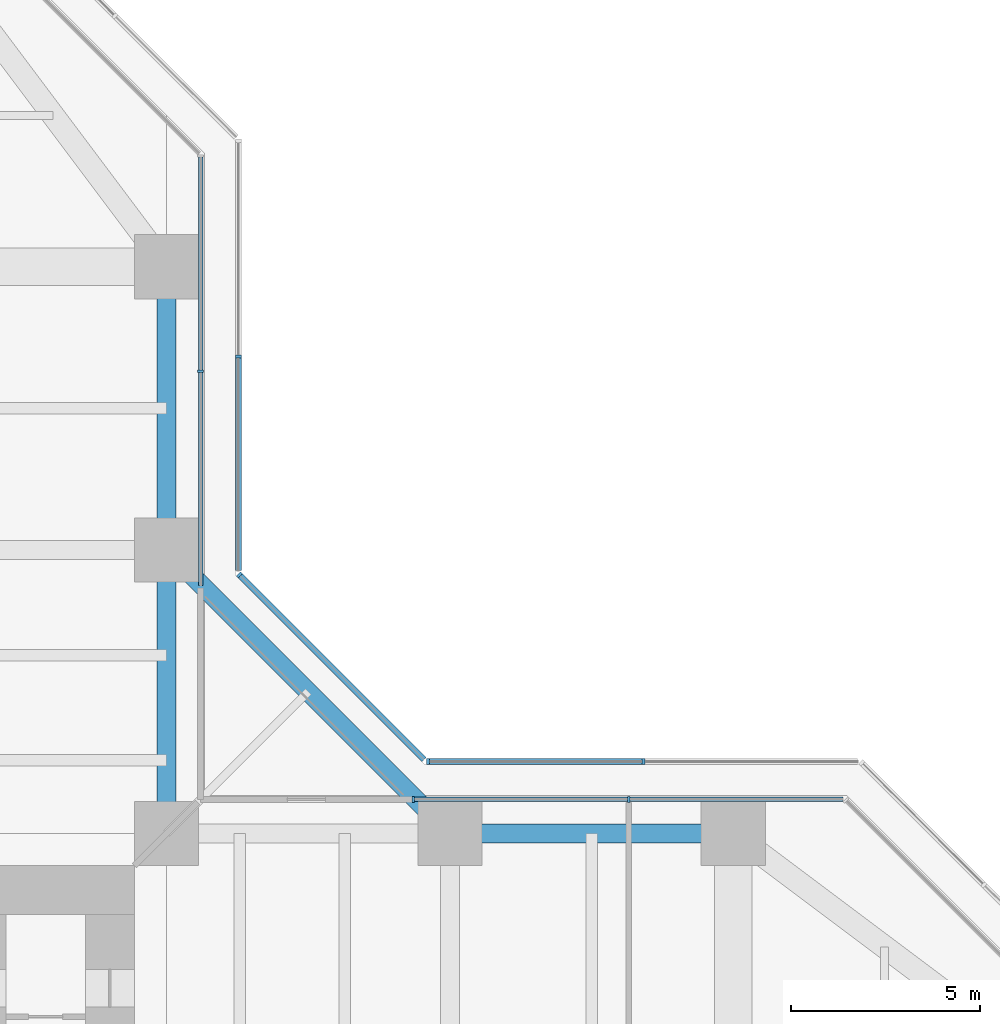
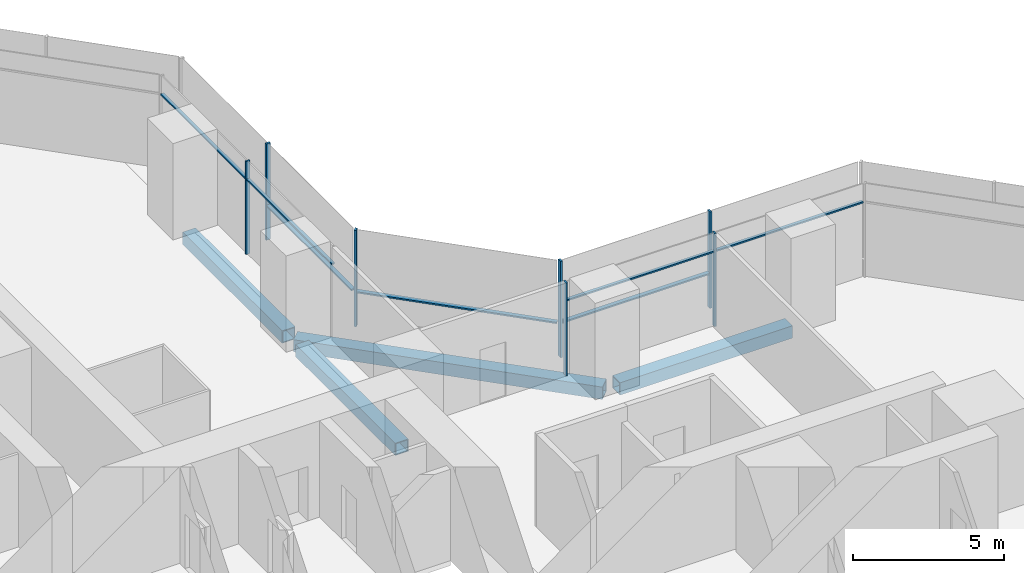
# One storey, part 11 of 22: 14 members, 4 beams, 5 elements without a shape of their own.
"""IFC4 building model written with IfcOpenShell, lengths in metres."""

from ifc_helpers import new_model, si_unit, direction, frame, origin, origin_2d, place, context, subcontext, project, spatial, rectangle, hollow_rectangle, extrude, material, material_profile, profile_set, type_object, element, aggregate, save


model = new_model("IFC4")

# Units and contexts
model_context = context("Model", 3, precision=1e-05, world=origin(), true_north=direction((0.0, 1.0)))
body_context = subcontext(model_context, "Body", "Model", "MODEL_VIEW")
ifc_project = project(units=[si_unit("LENGTHUNIT", "METRE"), si_unit("AREAUNIT", "SQUARE_METRE"), si_unit("VOLUMEUNIT", "CUBIC_METRE"), si_unit("PLANEANGLEUNIT", "RADIAN"), si_unit("MASSUNIT", "GRAM", prefix="KILO")], contexts=[model_context])

# Site, building, storey
site_placement = place(None, origin())
site = spatial("IfcSite", under=ifc_project, at=site_placement, CompositionType="ELEMENT")
building_placement = place(site_placement, origin())
building = spatial("IfcBuilding", under=site, at=building_placement, Name="Mizan Broadcast Tower", CompositionType="ELEMENT")
storey_placement = place(building_placement, frame((0.0, 0.0, 63.0)))
storey = spatial("IfcBuildingStorey", under=building, at=storey_placement, Name="L12", CompositionType="ELEMENT", Elevation=63.0)

# Beams
ifc_material_1 = material(Name="Steel S355", Category="steel")
ifc_material_profile_1 = material_profile(ifc_material_1, hollow_rectangle(XDim=0.5, YDim=0.5, WallThickness=0.030029296875, at=origin_2d()), Name="BOX 500x500x30")
ifc_profile_set_1 = profile_set([ifc_material_profile_1], Name="Steel S355")
beam_type = type_object("IfcBeamType", Name="EDGE BEAM BOX 500x500x30", PredefinedType="SPANDREL", material=ifc_profile_set_1)
for number, where, z_axis, x_axis, name in (
    (1, (19.949951171875, 12.0, -0.3798828125), (1.0, 0.0, 0.0), (0.0, 1.0, 0.0), "Edge beam BOX 500x500x30 L12 east arm"),
    (2, (12.0, 12.449951171875, -0.3798828125), (0.0, 1.0, 0.0), (-1.0, 0.0, 0.0), "Edge beam BOX 500x500x30 L12 north arm"),
    (3, (12.0, 19.949951171875, -0.3798828125), (0.0, 1.0, 0.0), (-1.0, 0.0, 0.0), "Edge beam BOX 500x500x30 L12 north arm"),
):
    element("IfcBeam", number, at=place(storey_placement, frame(where, z_axis=z_axis, x_axis=x_axis)), inside=storey, type_object=beam_type, Name=name, PredefinedType="SPANDREL", context=body_context, shape_type="SweptSolid", body=[
        extrude(hollow_rectangle(XDim=0.5, YDim=0.5, WallThickness=0.030029296875, at=origin_2d()), origin(), (0.0, 0.0, 1.0), 6.60009765625),
    ])
beam_placement = place(storey_placement, frame((19.5, 12.0, -0.3798828125), z_axis=(-0.707106781187, 0.707106781187, 0.0), x_axis=(-0.707106781187, -0.707106781187, 0.0)))
element("IfcBeam", 4, at=beam_placement, inside=storey, type_object=beam_type, Name="Winter garden edge beam L12 E", PredefinedType="SPANDREL", context=body_context, shape_type="SweptSolid", body=[
    extrude(hollow_rectangle(XDim=0.5, YDim=0.5, WallThickness=0.030029296875, at=origin_2d()), origin(), (0.0, 0.0, 1.0), 10.606689453125),
])

# Curtain wall, members
ifc_material_2 = material(Name="Aluminium framed glazing", Category="aluminium")
curtain_wall_type_1 = type_object("IfcCurtainWallType", Name="INNER SKIN LOW ZONE", PredefinedType="USERDEFINED", material=ifc_material_2)
curtain_wall_1_placement = place(storey_placement, origin())
curtain_wall_1 = element("IfcCurtainWall", 5, at=curtain_wall_1_placement, inside=storey, type_object=curtain_wall_type_1, Name="Inner skin low zone L12 E side", ObjectType="INNER SKIN LOW ZONE", PredefinedType="USERDEFINED")
ifc_material_3 = material(Name="Aluminium, pale anodised", Category="aluminium")
ifc_material_profile_2 = material_profile(ifc_material_3, rectangle(XDim=0.159912109375, YDim=0.06005859375, at=origin_2d()), Name="MULLION 160x60")
ifc_profile_set_2 = profile_set([ifc_material_profile_2], Name="Aluminium, pale anodised")
member_type_1 = type_object("IfcMemberType", Name="INNER SKIN MULLION 60x160", PredefinedType="MULLION", material=ifc_profile_set_2)
member_1_placement = place(storey_placement, frame((24.229248046875, 12.89990234375, 0.0), z_axis=(0.0, 0.0, 1.0), x_axis=(0.0, -1.0, 0.0)))
member_1 = element("IfcMember", 6, at=member_1_placement, type_object=member_type_1, Name="Inner skin low zone L12 E side mullion 2", PredefinedType="MULLION", context=body_context, shape_type="SweptSolid", body=[
    extrude(rectangle(XDim=0.159912109375, YDim=0.06005859375, at=origin_2d()), origin(), (0.0, 0.0, 1.0), 3.77001953125),
])
member_2_placement = place(storey_placement, frame((18.530029296875, 12.89990234375, 0.0), z_axis=(0.0, 0.0, 1.0), x_axis=(0.0, -1.0, 0.0)))
member_2 = element("IfcMember", 7, at=member_2_placement, type_object=member_type_1, Name="Inner skin low zone L12 E side mullion 3", PredefinedType="MULLION", context=body_context, shape_type="SweptSolid", body=[
    extrude(rectangle(XDim=0.159912109375, YDim=0.06005859375, at=origin_2d()), origin(), (0.0, 0.0, 1.0), 3.77001953125),
])

# Curtain wall, member
curtain_wall_2_placement = place(storey_placement, origin())
curtain_wall_2 = element("IfcCurtainWall", 8, at=curtain_wall_2_placement, inside=storey, type_object=curtain_wall_type_1, Name="Inner skin low zone L12 N side", ObjectType="INNER SKIN LOW ZONE", PredefinedType="USERDEFINED")
member_3_placement = place(storey_placement, frame((12.89990234375, 24.229248046875, 0.0), z_axis=(0.0, 0.0, 1.0), x_axis=(-1.0, 0.0, 0.0)))
member_3 = element("IfcMember", 9, at=member_3_placement, type_object=member_type_1, Name="Inner skin low zone L12 N side mullion 2", PredefinedType="MULLION", context=body_context, shape_type="SweptSolid", body=[
    extrude(rectangle(XDim=0.159912109375, YDim=0.06005859375, at=origin_2d()), origin(), (0.0, 0.0, 1.0), 3.77001953125),
])

# Member
ifc_material_4 = material(Name="Aluminium, pale anodised", Category="aluminium")
ifc_material_profile_3 = material_profile(ifc_material_4, rectangle(XDim=0.1201171875, YDim=0.06005859375, at=origin_2d()), Name="TRANSOM 120x60")
ifc_profile_set_3 = profile_set([ifc_material_profile_3], Name="Aluminium, pale anodised")
member_type_2 = type_object("IfcMemberType", Name="INNER SKIN TRANSOM 60x120", PredefinedType="USERDEFINED", material=ifc_profile_set_3)
member_4_placement = place(storey_placement, frame((29.898681640625, 12.89990234375, 3.030029296875), z_axis=(-1.0, 0.0, 0.0), x_axis=(0.0, -1.0, 0.0)))
member_4 = element("IfcMember", 10, at=member_4_placement, type_object=member_type_2, Name="Inner skin low zone L12 E side transom 1.1", ObjectType="TRANSOM", PredefinedType="USERDEFINED", context=body_context, shape_type="SweptSolid", body=[
    extrude(rectangle(XDim=0.1201171875, YDim=0.06005859375, at=origin_2d()), origin(), (0.0, 0.0, 1.0), 5.639404296875),
])

member_5_placement = place(storey_placement, frame((24.19921875, 12.89990234375, 3.030029296875), z_axis=(-1.0, 0.0, 0.0), x_axis=(0.0, -1.0, 0.0)))
member_5 = element("IfcMember", 11, at=member_5_placement, type_object=member_type_2, Name="Inner skin low zone L12 E side transom 2.1", ObjectType="TRANSOM", PredefinedType="USERDEFINED", context=body_context, shape_type="SweptSolid", body=[
    extrude(rectangle(XDim=0.1201171875, YDim=0.06005859375, at=origin_2d()), origin(), (0.0, 0.0, 1.0), 5.63916015625),
])

aggregate(curtain_wall_1, [member_1, member_2, member_4, member_5])

member_6_placement = place(storey_placement, frame((12.89990234375, 18.56005859375, 3.030029296875), z_axis=(0.0, 1.0, 0.0), x_axis=(-1.0, 0.0, 0.0)))
member_6 = element("IfcMember", 12, at=member_6_placement, type_object=member_type_2, Name="Inner skin low zone L12 N side transom 1.1", ObjectType="TRANSOM", PredefinedType="USERDEFINED", context=body_context, shape_type="SweptSolid", body=[
    extrude(rectangle(XDim=0.1201171875, YDim=0.06005859375, at=origin_2d()), origin(), (0.0, 0.0, 1.0), 5.63916015625),
])

member_7_placement = place(storey_placement, frame((12.89990234375, 24.25927734375, 3.030029296875), z_axis=(0.0, 1.0, 0.0), x_axis=(-1.0, 0.0, 0.0)))
member_7 = element("IfcMember", 13, at=member_7_placement, type_object=member_type_2, Name="Inner skin low zone L12 N side transom 2.1", ObjectType="TRANSOM", PredefinedType="USERDEFINED", context=body_context, shape_type="SweptSolid", body=[
    extrude(rectangle(XDim=0.1201171875, YDim=0.06005859375, at=origin_2d()), origin(), (0.0, 0.0, 1.0), 5.639404296875),
])

aggregate(curtain_wall_2, [member_3, member_6, member_7])

# Curtain wall, members
ifc_material_5 = material(Name="Aluminium framed glazing", Category="aluminium")
curtain_wall_type_2 = type_object("IfcCurtainWallType", Name="OUTER SKIN", PredefinedType="USERDEFINED", material=ifc_material_5)
curtain_wall_3_placement = place(storey_placement, origin())
curtain_wall_3 = element("IfcCurtainWall", 14, at=curtain_wall_3_placement, inside=storey, type_object=curtain_wall_type_2, Name="Outer skin L12 E side", ObjectType="OUTER SKIN", PredefinedType="USERDEFINED")
ifc_material_6 = material(Name="Aluminium, pale anodised", Category="aluminium")
ifc_material_profile_4 = material_profile(ifc_material_6, rectangle(XDim=0.159912109375, YDim=0.080078125, at=origin_2d()), Name="MULLION 160x80")
ifc_profile_set_4 = profile_set([ifc_material_profile_4], Name="Aluminium, pale anodised")
member_type_3 = type_object("IfcMemberType", Name="OUTER SKIN MULLION 80x160", PredefinedType="MULLION", material=ifc_profile_set_4)
member_8_placement = place(storey_placement, frame((24.622802734375, 13.89990234375, 0.0), z_axis=(0.0, 0.0, 1.0), x_axis=(0.0, -1.0, 0.0)))
member_8 = element("IfcMember", 15, at=member_8_placement, type_object=member_type_3, Name="Outer skin L12 E side mullion 2", PredefinedType="MULLION", context=body_context, shape_type="SweptSolid", body=[
    extrude(rectangle(XDim=0.159912109375, YDim=0.080078125, at=origin_2d()), origin(), (0.0, 0.0, 1.0), 3.89990234375),
])
member_9_placement = place(storey_placement, frame((18.912841796875, 13.89990234375, 0.0), z_axis=(0.0, 0.0, 1.0), x_axis=(0.0, -1.0, 0.0)))
member_9 = element("IfcMember", 16, at=member_9_placement, type_object=member_type_3, Name="Outer skin L12 E side mullion 3", PredefinedType="MULLION", context=body_context, shape_type="SweptSolid", body=[
    extrude(rectangle(XDim=0.159912109375, YDim=0.080078125, at=origin_2d()), origin(), (0.0, 0.0, 1.0), 3.89990234375),
])

# Curtain wall, member
curtain_wall_4_placement = place(storey_placement, origin())
curtain_wall_4 = element("IfcCurtainWall", 17, at=curtain_wall_4_placement, inside=storey, type_object=curtain_wall_type_2, Name="Outer skin L12 E chamfer", ObjectType="OUTER SKIN", PredefinedType="USERDEFINED")
member_10_placement = place(storey_placement, frame((13.92822265625, 18.844482421875, 0.0), z_axis=(0.0, 0.0, 1.0), x_axis=(-0.707106781187, -0.707106781187, 0.0)))
member_10 = element("IfcMember", 18, at=member_10_placement, type_object=member_type_3, Name="Outer skin L12 E chamfer mullion 2", PredefinedType="MULLION", context=body_context, shape_type="SweptSolid", body=[
    extrude(rectangle(XDim=0.159912109375, YDim=0.080078125, at=origin_2d()), origin(), (0.0, 0.0, 1.0), 3.89990234375),
])

curtain_wall_5_placement = place(storey_placement, origin())
curtain_wall_5 = element("IfcCurtainWall", 19, at=curtain_wall_5_placement, inside=storey, type_object=curtain_wall_type_2, Name="Outer skin L12 N side", ObjectType="OUTER SKIN", PredefinedType="USERDEFINED")
member_11_placement = place(storey_placement, frame((13.89990234375, 24.622802734375, 0.0), z_axis=(0.0, 0.0, 1.0), x_axis=(-1.0, 0.0, 0.0)))
member_11 = element("IfcMember", 20, at=member_11_placement, type_object=member_type_3, Name="Outer skin L12 N side mullion 2", PredefinedType="MULLION", context=body_context, shape_type="SweptSolid", body=[
    extrude(rectangle(XDim=0.159912109375, YDim=0.080078125, at=origin_2d()), origin(), (0.0, 0.0, 1.0), 3.89990234375),
])

# Member
ifc_material_7 = material(Name="Aluminium, pale anodised", Category="aluminium")
ifc_material_profile_5 = material_profile(ifc_material_7, rectangle(XDim=0.159912109375, YDim=0.06005859375, at=origin_2d()), Name="TRANSOM 160x60")
ifc_profile_set_5 = profile_set([ifc_material_profile_5], Name="Aluminium, pale anodised")
member_type_4 = type_object("IfcMemberType", Name="OUTER SKIN TRANSOM 60x160", PredefinedType="USERDEFINED", material=ifc_profile_set_5)
member_12_placement = place(storey_placement, frame((24.582763671875, 13.89990234375, 1.39990234375), z_axis=(-1.0, 0.0, 0.0), x_axis=(0.0, -1.0, 0.0)))
member_12 = element("IfcMember", 21, at=member_12_placement, type_object=member_type_4, Name="Outer skin L12 E side transom 2.1", ObjectType="TRANSOM", PredefinedType="USERDEFINED", context=body_context, shape_type="SweptSolid", body=[
    extrude(rectangle(XDim=0.159912109375, YDim=0.06005859375, at=origin_2d()), origin(), (0.0, 0.0, 1.0), 5.6298828125),
])

aggregate(curtain_wall_3, [member_8, member_9, member_12])

member_13_placement = place(storey_placement, frame((18.816162109375, 13.95654296875, 1.39990234375), z_axis=(-0.707106781187, 0.707106781187, 0.0), x_axis=(-0.707106781187, -0.707106781187, 0.0)))
member_13 = element("IfcMember", 22, at=member_13_placement, type_object=member_type_4, Name="Outer skin L12 E chamfer transom 1.1", ObjectType="TRANSOM", PredefinedType="USERDEFINED", context=body_context, shape_type="SweptSolid", body=[
    extrude(rectangle(XDim=0.159912109375, YDim=0.06005859375, at=origin_2d()), origin(), (0.0, 0.0, 1.0), 6.87255859375),
])

aggregate(curtain_wall_4, [member_10, member_13])

member_14_placement = place(storey_placement, frame((13.89990234375, 18.952880859375, 1.39990234375), z_axis=(0.0, 1.0, 0.0), x_axis=(-1.0, 0.0, 0.0)))
member_14 = element("IfcMember", 23, at=member_14_placement, type_object=member_type_4, Name="Outer skin L12 N side transom 1.1", ObjectType="TRANSOM", PredefinedType="USERDEFINED", context=body_context, shape_type="SweptSolid", body=[
    extrude(rectangle(XDim=0.159912109375, YDim=0.06005859375, at=origin_2d()), origin(), (0.0, 0.0, 1.0), 5.6298828125),
])

aggregate(curtain_wall_5, [member_11, member_14])

save(model, "model.ifc")
